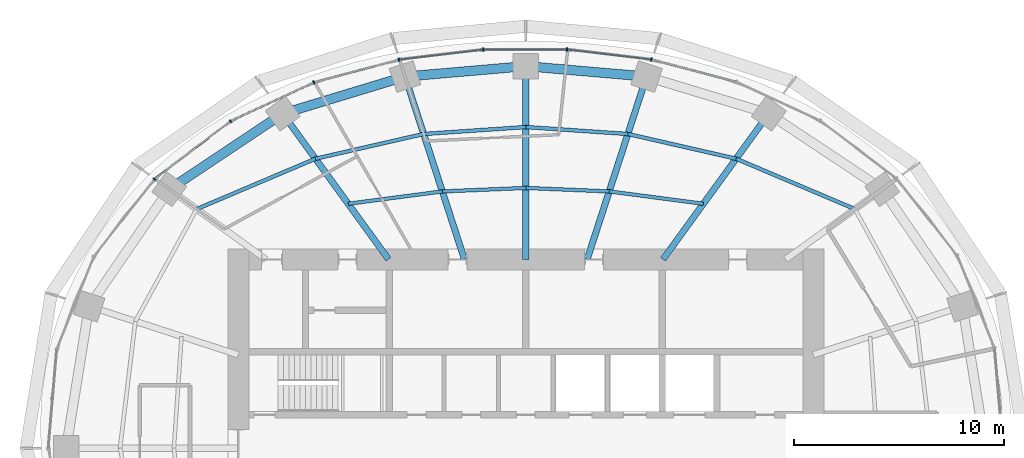
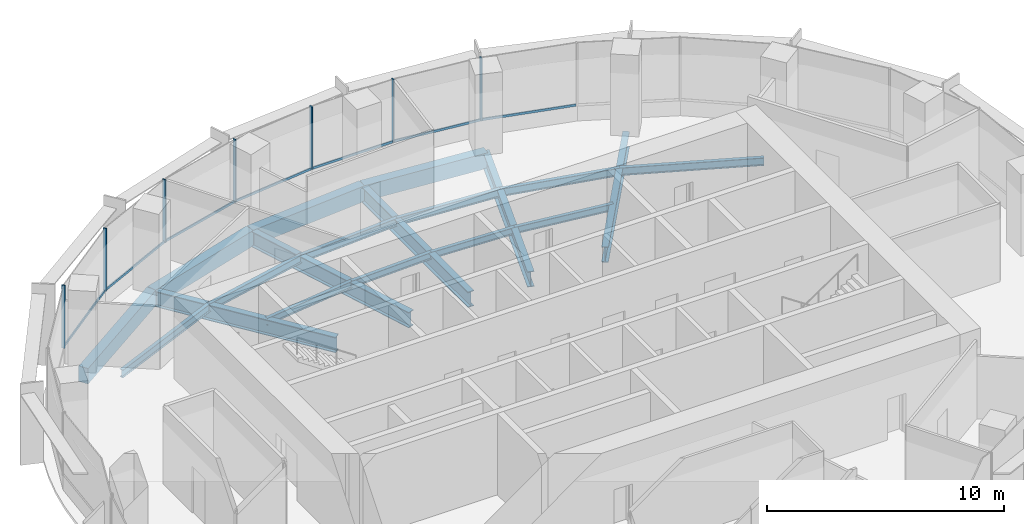
# One storey, part 6 of 13: 19 beams, 14 members, 2 elements without a shape of their own.
"""IFC4 building model written with IfcOpenShell, lengths in metres."""

from ifc_helpers import new_model, si_unit, direction, frame, origin, origin_2d, place, context, subcontext, project, spatial, rectangle, i_section, extrude, material, material_profile, profile_set, type_object, element, aggregate, save


model = new_model("IFC4")

# Units and contexts
model_context = context("Model", 3, precision=1e-05, world=origin(), true_north=direction((0.0, 1.0)))
body_context = subcontext(model_context, "Body", "Model", "MODEL_VIEW")
ifc_project = project(units=[si_unit("LENGTHUNIT", "METRE"), si_unit("AREAUNIT", "SQUARE_METRE"), si_unit("VOLUMEUNIT", "CUBIC_METRE"), si_unit("PLANEANGLEUNIT", "RADIAN"), si_unit("MASSUNIT", "GRAM", prefix="KILO")], contexts=[model_context])

# Site, building, storey
site_placement = place(None, origin())
site = spatial("IfcSite", under=ifc_project, at=site_placement, CompositionType="ELEMENT")
building_placement = place(site_placement, origin())
building = spatial("IfcBuilding", under=site, at=building_placement, Name="Marramba Exchange Tower", CompositionType="ELEMENT")
storey_placement = place(building_placement, frame((0.0, 0.0, 256.0)))
storey = spatial("IfcBuildingStorey", under=building, at=storey_placement, Name="L62", CompositionType="ELEMENT", Elevation=256.0)

# Curtain wall, members
ifc_material_1 = material(Name="Aluminium framing, bronze anodised", Category="aluminium")
curtain_wall_type = type_object("IfcCurtainWallType", Name="Executive floor ribbon curtain wall", PredefinedType="USERDEFINED", material=ifc_material_1)
curtain_wall_1_placement = place(storey_placement, origin())
curtain_wall_1 = element("IfcCurtainWall", 1, at=curtain_wall_1_placement, inside=storey, type_object=curtain_wall_type, Name="Curtain wall CW5 L62 F06-F10", ObjectType="RIBBON CURTAIN WALL", PredefinedType="USERDEFINED")
ifc_material_2 = material(Name="Aluminium mullion, bronze anodised", Category="aluminium")
ifc_material_profile_1 = material_profile(ifc_material_2, rectangle(XDim=0.159912109375, YDim=0.06005859375, at=origin_2d()), Name="CW5 mullion 60x160")
ifc_profile_set_1 = profile_set([ifc_material_profile_1], Name="Aluminium mullion, bronze anodised")
member_type_1 = type_object("IfcMemberType", Name="Executive floor ribbon curtain wall mullion", PredefinedType="MULLION", material=ifc_profile_set_1)
member_1_placement = place(storey_placement, frame((5.98681640625, 18.5205078125, 0.800048828125), z_axis=(0.0, 0.0, 1.0), x_axis=(-0.118556954505, -0.992947253654, 0.0)))
member_1 = element("IfcMember", 2, at=member_1_placement, type_object=member_type_1, Name="CW5 mullion 1", PredefinedType="MULLION", context=body_context, shape_type="SweptSolid", body=[
    extrude(rectangle(XDim=0.159912109375, YDim=0.06005859375, at=origin_2d()), origin(), (0.0, 0.0, 1.0), 3.239990234375),
])
member_2_placement = place(storey_placement, frame((1.966552734375, 18.9970703125, 0.800048828125), z_axis=(0.0, 0.0, 1.0), x_axis=(0.0, -1.0, 0.0)))
member_2 = element("IfcMember", 3, at=member_2_placement, type_object=member_type_1, Name="CW5 mullion 1", PredefinedType="MULLION", context=body_context, shape_type="SweptSolid", body=[
    extrude(rectangle(XDim=0.159912109375, YDim=0.06005859375, at=origin_2d()), origin(), (0.0, 0.0, 1.0), 3.239990234375),
])
member_3_placement = place(storey_placement, frame((-2.0263671875, 18.993408203125, 0.800048828125), z_axis=(0.0, 0.0, 1.0), x_axis=(0.118556954505, -0.992947253654, 0.0)))
member_3 = element("IfcMember", 4, at=member_3_placement, type_object=member_type_1, Name="CW5 mullion 1", PredefinedType="MULLION", context=body_context, shape_type="SweptSolid", body=[
    extrude(rectangle(XDim=0.159912109375, YDim=0.06005859375, at=origin_2d()), origin(), (0.0, 0.0, 1.0), 3.239990234375),
])
member_4_placement = place(storey_placement, frame((-6.045654296875, 18.50927734375, 0.800048828125), z_axis=(0.0, 0.0, 1.0), x_axis=(0.256125574813, -0.966643517501, 0.0)))
member_4 = element("IfcMember", 5, at=member_4_placement, type_object=member_type_1, Name="CW5 mullion 1", PredefinedType="MULLION", context=body_context, shape_type="SweptSolid", body=[
    extrude(rectangle(XDim=0.159912109375, YDim=0.06005859375, at=origin_2d()), origin(), (0.0, 0.0, 1.0), 3.239990234375),
])

curtain_wall_2_placement = place(storey_placement, origin())
curtain_wall_2 = element("IfcCurtainWall", 6, at=curtain_wall_2_placement, inside=storey, type_object=curtain_wall_type, Name="Curtain wall CW5 L62 F11-F15", ObjectType="RIBBON CURTAIN WALL", PredefinedType="USERDEFINED")
member_5_placement = place(storey_placement, frame((-10.097900390625, 17.43017578125, 0.800048828125), z_axis=(0.0, 0.0, 1.0), x_axis=(0.420849274712, -0.90713057934, 0.0)))
member_5 = element("IfcMember", 7, at=member_5_placement, type_object=member_type_1, Name="CW5 mullion 1", PredefinedType="MULLION", context=body_context, shape_type="SweptSolid", body=[
    extrude(rectangle(XDim=0.159912109375, YDim=0.06005859375, at=origin_2d()), origin(), (0.0, 0.0, 1.0), 3.239990234375),
])
member_6_placement = place(storey_placement, frame((-14.069091796875, 15.58056640625, 0.800048828125), z_axis=(0.0, 0.0, 1.0), x_axis=(0.605219156516, -0.796058900199, 0.0)))
member_6 = element("IfcMember", 8, at=member_6_placement, type_object=member_type_1, Name="CW5 mullion 1", PredefinedType="MULLION", context=body_context, shape_type="SweptSolid", body=[
    extrude(rectangle(XDim=0.159912109375, YDim=0.06005859375, at=origin_2d()), origin(), (0.0, 0.0, 1.0), 3.239990234375),
])
member_7_placement = place(storey_placement, frame((-17.69189453125, 12.81689453125, 0.800048828125), z_axis=(0.0, 0.0, 1.0), x_axis=(0.786002861604, -0.618222857512, 0.0)))
member_7 = element("IfcMember", 9, at=member_7_placement, type_object=member_type_1, Name="CW5 mullion 1", PredefinedType="MULLION", context=body_context, shape_type="SweptSolid", body=[
    extrude(rectangle(XDim=0.159912109375, YDim=0.06005859375, at=origin_2d()), origin(), (0.0, 0.0, 1.0), 3.239990234375),
])

# Member
ifc_material_3 = material(Name="Aluminium transom, bronze anodised", Category="aluminium")
ifc_material_profile_2 = material_profile(ifc_material_3, rectangle(XDim=0.06005859375, YDim=0.1201171875, at=origin_2d()), Name="CW5 transom 60x120")
ifc_profile_set_2 = profile_set([ifc_material_profile_2], Name="Aluminium transom, bronze anodised")
member_type_2 = type_object("IfcMemberType", Name="Executive floor ribbon curtain wall transom", PredefinedType="USERDEFINED", material=ifc_profile_set_2)
member_8_placement = place(storey_placement, frame((10.0126953125, 17.458251953125, 0.830078125), z_axis=(-0.966642465832, 0.256129543885, 0.0), x_axis=(-0.256129543885, -0.966642465832, 0.0)))
member_8 = element("IfcMember", 10, at=member_8_placement, type_object=member_type_2, Name="CW5 sill transom", ObjectType="TRANSOM", PredefinedType="USERDEFINED", context=body_context, shape_type="SweptSolid", body=[
    extrude(rectangle(XDim=0.06005859375, YDim=0.1201171875, at=origin_2d()), origin(), (0.0, 0.0, 1.0), 4.134033203125),
])

member_9_placement = place(storey_placement, frame((5.95703125, 18.524169921875, 0.830078125), z_axis=(-0.992946470513, 0.118563513339, 0.0), x_axis=(-0.118563513339, -0.992946470513, 0.0)))
member_9 = element("IfcMember", 11, at=member_9_placement, type_object=member_type_2, Name="CW5 sill transom", ObjectType="TRANSOM", PredefinedType="USERDEFINED", context=body_context, shape_type="SweptSolid", body=[
    extrude(rectangle(XDim=0.06005859375, YDim=0.1201171875, at=origin_2d()), origin(), (0.0, 0.0, 1.0), 3.988525390625),
])

member_10_placement = place(storey_placement, frame((1.936767578125, 18.9970703125, 0.830078125), z_axis=(-1.0, 0.0, 0.0), x_axis=(0.0, -1.0, 0.0)))
member_10 = element("IfcMember", 12, at=member_10_placement, type_object=member_type_2, Name="CW5 sill transom", ObjectType="TRANSOM", PredefinedType="USERDEFINED", context=body_context, shape_type="SweptSolid", body=[
    extrude(rectangle(XDim=0.06005859375, YDim=0.1201171875, at=origin_2d()), origin(), (0.0, 0.0, 1.0), 3.933349609375),
])

member_11_placement = place(storey_placement, frame((-2.05615234375, 18.98974609375, 0.830078125), z_axis=(-0.992953674799, -0.11850316326, 0.0), x_axis=(0.11850316326, -0.992953674799, 0.0)))
member_11 = element("IfcMember", 13, at=member_11_placement, type_object=member_type_2, Name="CW5 sill transom", ObjectType="TRANSOM", PredefinedType="USERDEFINED", context=body_context, shape_type="SweptSolid", body=[
    extrude(rectangle(XDim=0.06005859375, YDim=0.1201171875, at=origin_2d()), origin(), (0.0, 0.0, 1.0), 3.988525390625),
])

member_12_placement = place(storey_placement, frame((-6.074462890625, 18.501708984375, 0.830078125), z_axis=(-0.966642465832, -0.256129543885, 0.0), x_axis=(0.256129543885, -0.966642465832, 0.0)))
member_12 = element("IfcMember", 14, at=member_12_placement, type_object=member_type_2, Name="CW5 sill transom", ObjectType="TRANSOM", PredefinedType="USERDEFINED", context=body_context, shape_type="SweptSolid", body=[
    extrude(rectangle(XDim=0.06005859375, YDim=0.1201171875, at=origin_2d()), origin(), (0.0, 0.0, 1.0), 4.134033203125),
])

aggregate(curtain_wall_1, [member_8, member_1, member_9, member_2, member_10, member_3, member_11, member_4, member_12])

member_13_placement = place(storey_placement, frame((-10.125, 17.41748046875, 0.830078125), z_axis=(-0.907139165053, -0.420830767919, 0.0), x_axis=(0.420830767919, -0.907139165053, 0.0)))
member_13 = element("IfcMember", 15, at=member_13_placement, type_object=member_type_2, Name="CW5 sill transom", ObjectType="TRANSOM", PredefinedType="USERDEFINED", context=body_context, shape_type="SweptSolid", body=[
    extrude(rectangle(XDim=0.06005859375, YDim=0.1201171875, at=origin_2d()), origin(), (0.0, 0.0, 1.0), 4.321533203125),
])

member_14_placement = place(storey_placement, frame((-14.093017578125, 15.5625, 0.830078125), z_axis=(-0.796068041642, -0.605207132374, 0.0), x_axis=(0.605207132374, -0.796068041642, 0.0)))
member_14 = element("IfcMember", 16, at=member_14_placement, type_object=member_type_2, Name="CW5 sill transom", ObjectType="TRANSOM", PredefinedType="USERDEFINED", context=body_context, shape_type="SweptSolid", body=[
    extrude(rectangle(XDim=0.06005859375, YDim=0.1201171875, at=origin_2d()), origin(), (0.0, 0.0, 1.0), 4.49755859375),
])

aggregate(curtain_wall_2, [member_5, member_13, member_6, member_14, member_7])

# Beams
ifc_material_4 = material(Name="Steel AS/NZS 3679.1 grade 300", Category="steel")
ifc_material_profile_3 = material_profile(ifc_material_4, i_section(OverallWidth=0.1708984375, OverallDepth=0.35595703125, WebThickness=0.00732421875, FlangeThickness=0.011474609375, FilletRadius=0.011474609375, at=origin_2d()), Name="360UB50.7")
ifc_profile_set_3 = profile_set([ifc_material_profile_3], Name="Steel AS/NZS 3679.1 grade 300")
beam_type_1 = type_object("IfcBeamType", Name="Floor joist 360UB50.7", PredefinedType="JOIST", material=ifc_profile_set_3)
beam_1_placement = place(storey_placement, frame((8.4619140625, 11.646728515625, -0.337890625), z_axis=(-0.991480538255, 0.130254912618, 0.0), x_axis=(-0.130254912618, -0.991480538255, 0.0)))
element("IfcBeam", 17, at=beam_1_placement, inside=storey, type_object=beam_type_1, Name="Joist L62 bay 04 row 1", PredefinedType="JOIST", context=body_context, shape_type="SweptSolid", body=[
    extrude(i_section(OverallWidth=0.1708984375, OverallDepth=0.35595703125, WebThickness=0.00732421875, FlangeThickness=0.011474609375, FilletRadius=0.011474609375, at=origin_2d()), origin(), (0.0, 0.0, 1.0), 4.524658203125),
])
for number, where, z_axis, x_axis, name in (
    (18, (3.975830078125, 12.236083984375, -0.337890625), (-0.999137002892, 0.041536122257, 0.0), (-0.041536122257, -0.999137002892, 0.0), "Joist L62 bay 05 row 1"),
    (19, (0.0, 12.4013671875, -0.337890625), (-0.999137002892, -0.041536122257, 0.0), (0.041536122257, -0.999137002892, 0.0), "Joist L62 bay 06 row 1"),
):
    element("IfcBeam", number, at=place(storey_placement, frame(where, z_axis=z_axis, x_axis=x_axis)), inside=storey, type_object=beam_type_1, Name=name, PredefinedType="JOIST", context=body_context, shape_type="SweptSolid", body=[
        extrude(i_section(OverallWidth=0.1708984375, OverallDepth=0.35595703125, WebThickness=0.00732421875, FlangeThickness=0.011474609375, FilletRadius=0.011474609375, at=origin_2d()), origin(), (0.0, 0.0, 1.0), 3.979248046875),
    ])
beam_2_placement = place(storey_placement, frame((-3.975830078125, 12.236083984375, -0.337890625), z_axis=(-0.991480538255, -0.130254912618, 0.0), x_axis=(0.130254912618, -0.991480538255, 0.0)))
element("IfcBeam", 20, at=beam_2_placement, inside=storey, type_object=beam_type_1, Name="Joist L62 bay 07 row 1", PredefinedType="JOIST", context=body_context, shape_type="SweptSolid", body=[
    extrude(i_section(OverallWidth=0.1708984375, OverallDepth=0.35595703125, WebThickness=0.00732421875, FlangeThickness=0.011474609375, FilletRadius=0.011474609375, at=origin_2d()), origin(), (0.0, 0.0, 1.0), 4.524658203125),
])
ifc_material_profile_4 = material_profile(ifc_material_4, i_section(OverallWidth=0.177978515625, OverallDepth=0.403076171875, WebThickness=0.007568359375, FlangeThickness=0.010986328125, FilletRadius=0.011474609375, at=origin_2d()), Name="410UB53.7")
ifc_profile_set_4 = profile_set([ifc_material_profile_4], Name="Steel AS/NZS 3679.1 grade 300")
beam_type_2 = type_object("IfcBeamType", Name="Floor joist 410UB53.7", PredefinedType="JOIST", material=ifc_profile_set_4)
beam_3_placement = place(storey_placement, frame((15.682373046875, 11.393798828125, -0.361572265625), z_axis=(-0.920674336375, 0.390331610738, 0.0), x_axis=(-0.390331610738, -0.920674336375, 0.0)))
element("IfcBeam", 21, at=beam_3_placement, inside=storey, type_object=beam_type_2, Name="Joist L62 bay 03 row 2", PredefinedType="JOIST", context=body_context, shape_type="SweptSolid", body=[
    extrude(i_section(OverallWidth=0.177978515625, OverallDepth=0.403076171875, WebThickness=0.007568359375, FlangeThickness=0.010986328125, FilletRadius=0.011474609375, at=origin_2d()), origin(), (0.0, 0.0, 1.0), 6.1484375),
])
beam_4_placement = place(storey_placement, frame((10.021728515625, 13.793701171875, -0.361572265625), z_axis=(-0.974859652292, 0.222819788916, 0.0), x_axis=(-0.222819788916, -0.974859652292, 0.0)))
element("IfcBeam", 22, at=beam_4_placement, inside=storey, type_object=beam_type_2, Name="Joist L62 bay 04 row 2", PredefinedType="JOIST", context=body_context, shape_type="SweptSolid", body=[
    extrude(i_section(OverallWidth=0.177978515625, OverallDepth=0.403076171875, WebThickness=0.007568359375, FlangeThickness=0.010986328125, FilletRadius=0.011474609375, at=origin_2d()), origin(), (0.0, 0.0, 1.0), 5.2900390625),
])
for number, where, z_axis, x_axis, name in (
    (23, (4.86474609375, 14.972412109375, -0.361572265625), (-0.997702652202, 0.067745241816, 0.0), (-0.067745241816, -0.997702652202, 0.0), "Joist L62 bay 05 row 2"),
    (24, (0.0, 15.302734375, -0.361572265625), (-0.997702652202, -0.067745241816, 0.0), (0.067745241816, -0.997702652202, 0.0), "Joist L62 bay 06 row 2"),
):
    element("IfcBeam", number, at=place(storey_placement, frame(where, z_axis=z_axis, x_axis=x_axis)), inside=storey, type_object=beam_type_2, Name=name, PredefinedType="JOIST", context=body_context, shape_type="SweptSolid", body=[
        extrude(i_section(OverallWidth=0.177978515625, OverallDepth=0.403076171875, WebThickness=0.007568359375, FlangeThickness=0.010986328125, FilletRadius=0.011474609375, at=origin_2d()), origin(), (0.0, 0.0, 1.0), 4.8759765625),
    ])
beam_5_placement = place(storey_placement, frame((-4.86474609375, 14.972412109375, -0.361572265625), z_axis=(-0.974859652292, -0.222819788916, 0.0), x_axis=(0.222819788916, -0.974859652292, 0.0)))
element("IfcBeam", 25, at=beam_5_placement, inside=storey, type_object=beam_type_2, Name="Joist L62 bay 07 row 2", PredefinedType="JOIST", context=body_context, shape_type="SweptSolid", body=[
    extrude(i_section(OverallWidth=0.177978515625, OverallDepth=0.403076171875, WebThickness=0.007568359375, FlangeThickness=0.010986328125, FilletRadius=0.011474609375, at=origin_2d()), origin(), (0.0, 0.0, 1.0), 5.2900390625),
])
beam_6_placement = place(storey_placement, frame((-10.021728515625, 13.793701171875, -0.361572265625), z_axis=(-0.920674336375, -0.390331610738, 0.0), x_axis=(0.390331610738, -0.920674336375, 0.0)))
element("IfcBeam", 26, at=beam_6_placement, inside=storey, type_object=beam_type_2, Name="Joist L62 bay 08 row 2", PredefinedType="JOIST", context=body_context, shape_type="SweptSolid", body=[
    extrude(i_section(OverallWidth=0.177978515625, OverallDepth=0.403076171875, WebThickness=0.007568359375, FlangeThickness=0.010986328125, FilletRadius=0.011474609375, at=origin_2d()), origin(), (0.0, 0.0, 1.0), 6.1484375),
])
ifc_material_5 = material(Name="Steel AS/NZS 3679.2 grade 300", Category="steel")
ifc_material_profile_5 = material_profile(ifc_material_5, i_section(OverallWidth=0.300048828125, OverallDepth=0.800048828125, WebThickness=0.013916015625, FlangeThickness=0.031982421875, at=origin_2d()), Name="800WB192")
ifc_profile_set_5 = profile_set([ifc_material_profile_5], Name="Steel AS/NZS 3679.2 grade 300")
beam_type_3 = type_object("IfcBeamType", Name="Radial girder 800WB192", PredefinedType="BEAM", material=ifc_profile_set_5)
beam_7_placement = place(storey_placement, frame((6.538818359375, 9.0, -0.56005859375), z_axis=(0.587782439969, 0.80901903764, 0.0), x_axis=(-0.80901903764, 0.587782439969, 0.0)))
element("IfcBeam", 27, at=beam_7_placement, inside=storey, type_object=beam_type_3, Name="Radial girder L62 TC04", PredefinedType="BEAM", context=body_context, shape_type="SweptSolid", body=[
    extrude(i_section(OverallWidth=0.300048828125, OverallDepth=0.800048828125, WebThickness=0.013916015625, FlangeThickness=0.031982421875, at=origin_2d()), origin(), (0.0, 0.0, 1.0), 8.578857421875),
])
beam_8_placement = place(storey_placement, frame((2.92431640625, 9.0, -0.56005859375), z_axis=(0.309019754162, 0.951055619582, 0.0), x_axis=(-0.951055619582, 0.309019754162, 0.0)))
element("IfcBeam", 28, at=beam_8_placement, inside=storey, type_object=beam_type_3, Name="Radial girder L62 TC05", PredefinedType="BEAM", context=body_context, shape_type="SweptSolid", body=[
    extrude(i_section(OverallWidth=0.300048828125, OverallDepth=0.800048828125, WebThickness=0.013916015625, FlangeThickness=0.031982421875, at=origin_2d()), origin(), (0.0, 0.0, 1.0), 9.15673828125),
])
beam_9_placement = place(storey_placement, frame((0.0, 9.0, -0.56005859375), z_axis=(0.0, 1.0, 0.0), x_axis=(-1.0, 0.0, 0.0)))
element("IfcBeam", 29, at=beam_9_placement, inside=storey, type_object=beam_type_3, Name="Radial girder L62 TC06", PredefinedType="BEAM", context=body_context, shape_type="SweptSolid", body=[
    extrude(i_section(OverallWidth=0.300048828125, OverallDepth=0.800048828125, WebThickness=0.013916015625, FlangeThickness=0.031982421875, at=origin_2d()), origin(), (0.0, 0.0, 1.0), 9.2041015625),
])
beam_10_placement = place(storey_placement, frame((-2.92431640625, 9.0, -0.56005859375), z_axis=(-0.309019754162, 0.951055619582, 0.0), x_axis=(-0.951055619582, -0.309019754162, 0.0)))
element("IfcBeam", 30, at=beam_10_placement, inside=storey, type_object=beam_type_3, Name="Radial girder L62 TC07", PredefinedType="BEAM", context=body_context, shape_type="SweptSolid", body=[
    extrude(i_section(OverallWidth=0.300048828125, OverallDepth=0.800048828125, WebThickness=0.013916015625, FlangeThickness=0.031982421875, at=origin_2d()), origin(), (0.0, 0.0, 1.0), 9.15673828125),
])
beam_11_placement = place(storey_placement, frame((-6.538818359375, 9.0, -0.56005859375), z_axis=(-0.587782439969, 0.80901903764, 0.0), x_axis=(-0.80901903764, -0.587782439969, 0.0)))
element("IfcBeam", 31, at=beam_11_placement, inside=storey, type_object=beam_type_3, Name="Radial girder L62 TC08", PredefinedType="BEAM", context=body_context, shape_type="SweptSolid", body=[
    extrude(i_section(OverallWidth=0.300048828125, OverallDepth=0.800048828125, WebThickness=0.013916015625, FlangeThickness=0.031982421875, at=origin_2d()), origin(), (0.0, 0.0, 1.0), 8.578857421875),
])
ifc_material_6 = material(Name="Concrete N50", Category="concrete")
ifc_material_profile_6 = material_profile(ifc_material_6, rectangle(XDim=0.449951171875, YDim=0.800048828125, at=origin_2d()), Name="RC 450x800")
ifc_profile_set_6 = profile_set([ifc_material_profile_6], Name="Concrete N50")
beam_type_4 = type_object("IfcBeamType", Name="Ring beam RC 450x800 N50", PredefinedType="SPANDREL", material=ifc_profile_set_6)
for number, where, z_axis, x_axis, name in (
    (32, (5.75390625, 17.70849609375, -0.56005859375), (-0.996311003275, 0.085815993578, 0.0), (-0.085815993578, -0.996311003275, 0.0), "Ring beam L62 TC05-TC06"),
    (33, (0.0, 18.2041015625, -0.56005859375), (-0.996311003275, -0.085815993578, 0.0), (0.085815993578, -0.996311003275, 0.0), "Ring beam L62 TC06-TC07"),
):
    element("IfcBeam", number, at=place(storey_placement, frame(where, z_axis=z_axis, x_axis=x_axis)), inside=storey, type_object=beam_type_4, Name=name, PredefinedType="SPANDREL", context=body_context, shape_type="SweptSolid", body=[
        extrude(rectangle(XDim=0.449951171875, YDim=0.800048828125, at=origin_2d()), origin(), (0.0, 0.0, 1.0), 5.775146484375),
    ])
beam_12_placement = place(storey_placement, frame((-5.75390625, 17.70849609375, -0.56005859375), z_axis=(-0.956924542524, -0.290336735387, 0.0), x_axis=(0.290336735387, -0.956924542524, 0.0)))
element("IfcBeam", 34, at=beam_12_placement, inside=storey, type_object=beam_type_4, Name="Ring beam L62 TC07-TC08", PredefinedType="SPANDREL", context=body_context, shape_type="SweptSolid", body=[
    extrude(rectangle(XDim=0.449951171875, YDim=0.800048828125, at=origin_2d()), origin(), (0.0, 0.0, 1.0), 6.089599609375),
])
beam_13_placement = place(storey_placement, frame((-11.581298828125, 15.9404296875, -0.56005859375), z_axis=(-0.832293151443, -0.554335737673, 0.0), x_axis=(0.554335737673, -0.832293151443, 0.0)))
element("IfcBeam", 35, at=beam_13_placement, inside=storey, type_object=beam_type_4, Name="Ring beam L62 TC08-TC09", PredefinedType="SPANDREL", context=body_context, shape_type="SweptSolid", body=[
    extrude(rectangle(XDim=0.449951171875, YDim=0.800048828125, at=origin_2d()), origin(), (0.0, 0.0, 1.0), 6.49365234375),
])

save(model, "model.ifc")
